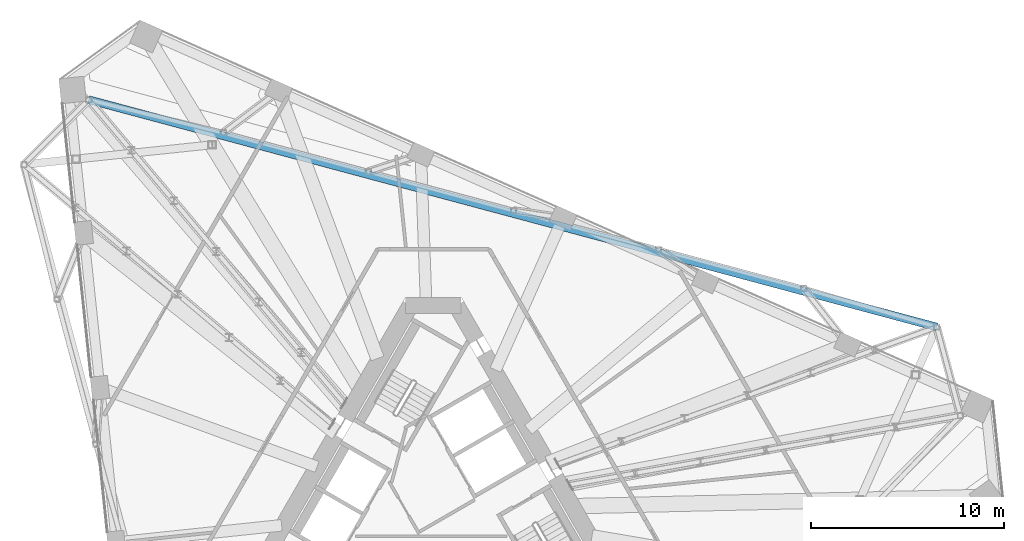
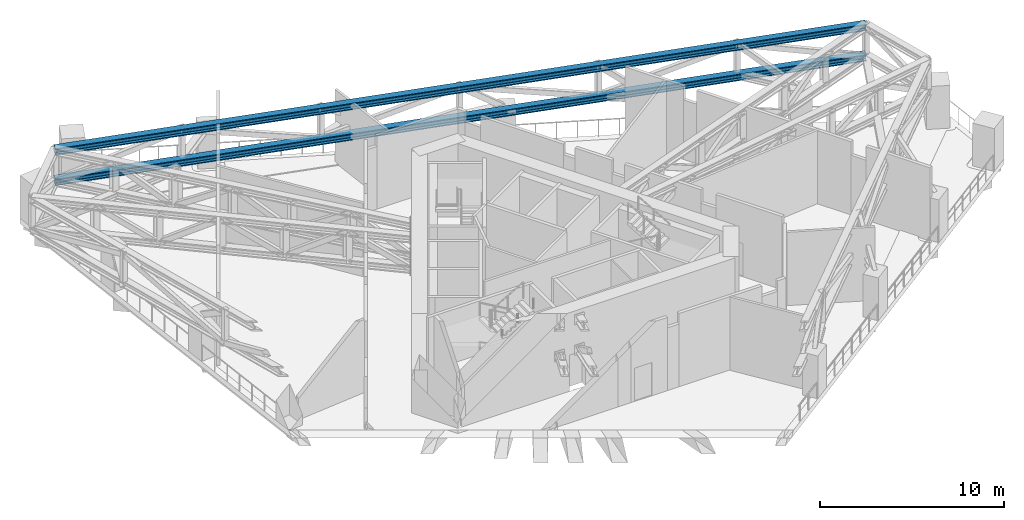
# One storey, part 11 of 26: 2 members.
"""IFC4 building model written with IfcOpenShell, lengths in metres."""

from ifc_helpers import new_model, si_unit, direction, frame, origin, origin_2d, place, context, subcontext, project, spatial, i_section, extrude, material, material_profile, profile_set, type_object, element, save


model = new_model("IFC4")

# Units and contexts
model_context = context("Model", 3, precision=1e-05, world=origin(), true_north=direction((0.0, 1.0)))
body_context = subcontext(model_context, "Body", "Model", "MODEL_VIEW")
ifc_project = project(units=[si_unit("LENGTHUNIT", "METRE"), si_unit("AREAUNIT", "SQUARE_METRE"), si_unit("VOLUMEUNIT", "CUBIC_METRE"), si_unit("PLANEANGLEUNIT", "RADIAN"), si_unit("MASSUNIT", "GRAM", prefix="KILO")], contexts=[model_context])

# Site, building, storey
site_placement = place(None, origin())
site = spatial("IfcSite", under=ifc_project, at=site_placement, CompositionType="ELEMENT")
building_placement = place(site_placement, origin())
building = spatial("IfcBuilding", under=site, at=building_placement, Name="Tramontana Tower", CompositionType="ELEMENT")
storey_placement = place(building_placement, frame((0.0, 0.0, 194.800048828125)))
storey = spatial("IfcBuildingStorey", under=building, at=storey_placement, Name="L45", CompositionType="ELEMENT", Elevation=194.800048828125)

# Members
ifc_material = material(Name="Steel ASTM A992 Grade 50", Category="steel")
ifc_material_profile = material_profile(ifc_material, i_section(OverallWidth=0.412841796875, OverallDepth=0.43505859375, WebThickness=0.03662109375, FlangeThickness=0.05712890625, FilletRadius=0.01513671875, at=origin_2d()), Name="W14X311")
ifc_profile_set = profile_set([ifc_material_profile], Name="Steel ASTM A992 Grade 50")
member_type = type_object("IfcMemberType", Name="Belt truss W14X311 chord", PredefinedType="CHORD", material=ifc_profile_set)
for number, where, z_axis, x_axis, name in (
    (1, (26.12158203125, 9.461669921875, 2.617431640625), (-0.965925569926, 0.25882000186, 0.0), (-0.25882000186, -0.965925569926, 0.0), "Belt truss bottom chord S2"),
    (2, (26.12158203125, 9.461669921875, 4.632568359375), (-0.965925569926, 0.25882000186, 0.0), (-0.25882000186, -0.965925569926, 0.0), "Belt truss top chord S2"),
):
    element("IfcMember", number, at=place(storey_placement, frame(where, z_axis=z_axis, x_axis=x_axis)), inside=storey, type_object=member_type, Name=name, PredefinedType="CHORD", context=body_context, shape_type="SweptSolid", body=[
        extrude(i_section(OverallWidth=0.412841796875, OverallDepth=0.43505859375, WebThickness=0.03662109375, FlangeThickness=0.05712890625, FilletRadius=0.01513671875, at=origin_2d()), origin(), (0.0, 0.0, 1.0), 45.565185546875),
    ])

save(model, "model.ifc")
